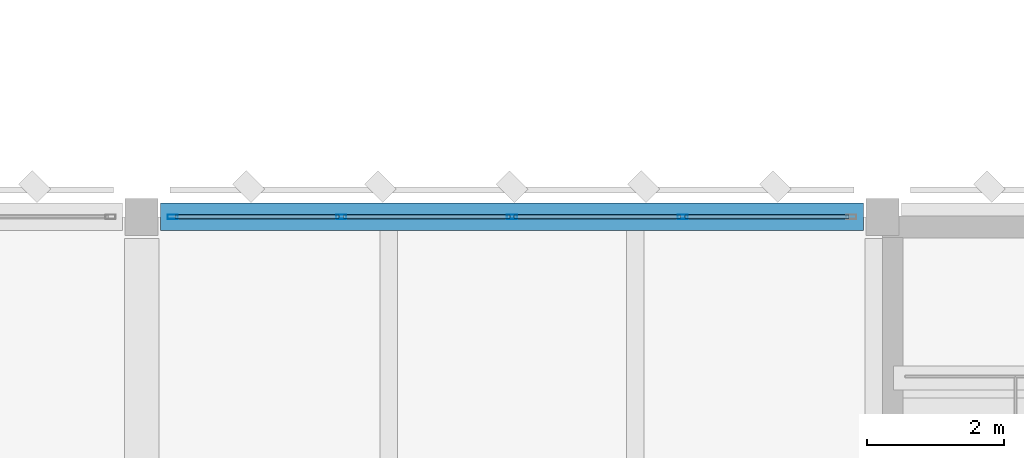
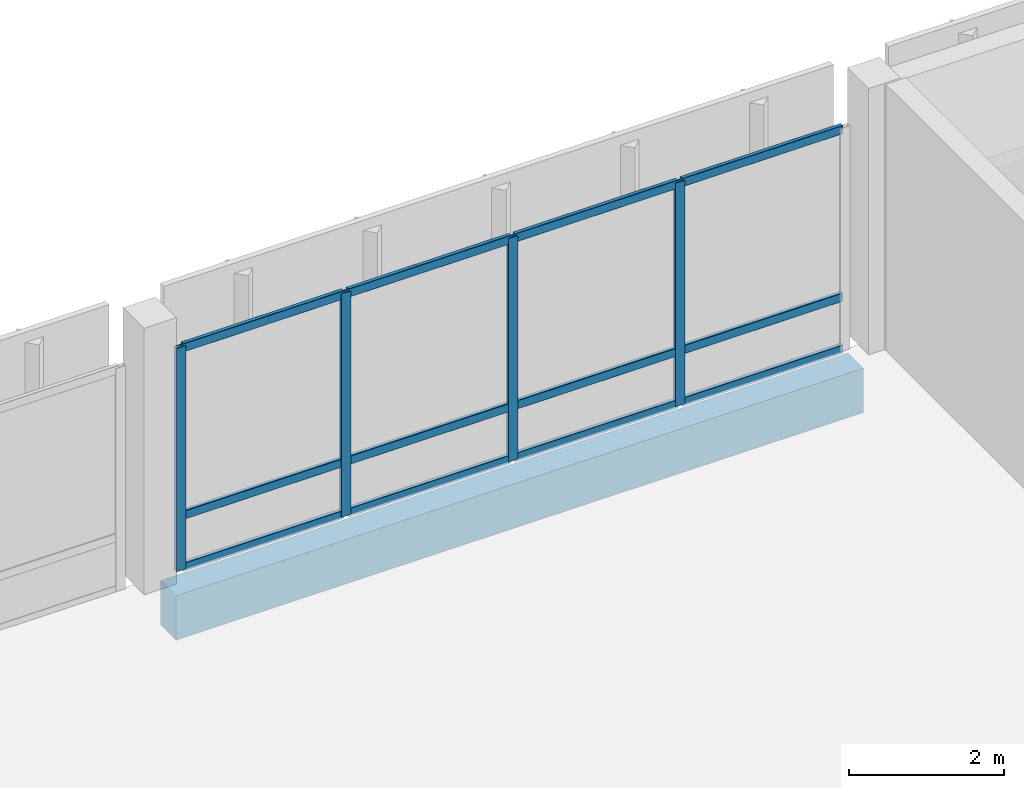
# One storey, part 29 of 72: 16 members, 1 beam, 1 element without a shape of its own.
"""IFC4 building model written with IfcOpenShell, lengths in metres."""

import ifcopenshell
import ifcopenshell.guid

model = None  # the IFC model being written
_history = None  # IfcOwnerHistory: only IFC2X3 demands one
_inside = {}  # id of a spatial element -> (the spatial element, [elements in it])
_under = {}  # id of a project, library or spatial element -> (it, [spatial elements below it])
_declared = {}  # id of a project -> (the project, [libraries it declares])
_typed = {}  # id of a type object -> (the type object, [elements of that type])
_made_of = {}  # id of a material, layer set ... -> (it, [elements and type objects made of it])


def new_model(schema):
    """Start an empty IFC model of exactly this schema.

    Asked for "IFC4X3", IfcOpenShell would pick the latest addendum, in which some entities
    have other attributes; the version numbers below select the first issue.
    IFC2X3 requires an IfcOwnerHistory on every rooted entity: one is made here for all.
    """
    global model, _history
    if schema == "IFC4X3":
        model = ifcopenshell.file(schema_version=(4, 3, 0, 0))
    else:
        model = ifcopenshell.file(schema=schema)
    _inside.clear()
    _under.clear()
    _declared.clear()
    _typed.clear()
    _made_of.clear()
    _history = None
    if model.schema == "IFC2X3":
        org = make("IfcOrganization", Name="unknown")
        user = make(
            "IfcPersonAndOrganization",
            ThePerson=make("IfcPerson", FamilyName="unknown"),
            TheOrganization=org,
        )
        app = make(
            "IfcApplication",
            ApplicationDeveloper=org,
            Version="unknown",
            ApplicationFullName="unknown",
            ApplicationIdentifier="unknown",
        )
        _history = make(
            "IfcOwnerHistory",
            OwningUser=user,
            OwningApplication=app,
            ChangeAction="ADDED",
            CreationDate=0,
        )
    return model


def make(cls, **values):
    """One entity of the class cls with the attributes given. An attribute that is None is left unset."""
    return model.create_entity(
        cls, **{name: value for name, value in values.items() if value is not None}
    )


def rooted(cls, **values):
    """An entity with a GlobalId (a new one), such as an element, a storey or a relation."""
    return make(cls, GlobalId=ifcopenshell.guid.new(), OwnerHistory=_history, **values)


def si_unit(unit_type, name, prefix=None):
    """IfcSIUnit, for example si_unit("LENGTHUNIT", "METRE", prefix="MILLI")."""
    return make("IfcSIUnit", UnitType=unit_type, Prefix=prefix, Name=name)


def assignment(units):
    """IfcUnitAssignment: the units of a project."""
    return None if units is None else make("IfcUnitAssignment", Units=units)


def point(xyz):
    """IfcCartesianPoint."""
    return None if xyz is None else make("IfcCartesianPoint", Coordinates=xyz)


def direction(xyz):
    """IfcDirection."""
    return None if xyz is None else make("IfcDirection", DirectionRatios=xyz)


def frame(location, z_axis=None, x_axis=None):
    """IfcAxis2Placement3D, a coordinate frame: its origin and axes. An axis left out is left unset."""
    return make(
        "IfcAxis2Placement3D",
        Location=point(location),
        Axis=direction(z_axis),
        RefDirection=direction(x_axis),
    )


def frame_2d(location, x_axis=None):
    """IfcAxis2Placement2D, a coordinate frame in the plane: its origin and x axis."""
    return make(
        "IfcAxis2Placement2D", Location=point(location), RefDirection=direction(x_axis)
    )


def origin():
    """The frame at (0, 0, 0) with its axes left unset."""
    return frame((0.0, 0.0, 0.0))


def origin_2d():
    """The frame at (0, 0) in the plane with its x axis left unset."""
    return frame_2d((0.0, 0.0))


def place(relative_to, where):
    """IfcLocalPlacement: puts the frame where relative to a parent placement (None: the world)."""
    return make(
        "IfcLocalPlacement", PlacementRelTo=relative_to, RelativePlacement=where
    )


def context(
    kind, dimensions, precision=None, world=None, true_north=None, identifier=None
):
    """IfcGeometricRepresentationContext, for example the 3D "Model" context."""
    return make(
        "IfcGeometricRepresentationContext",
        ContextIdentifier=identifier,
        ContextType=kind,
        CoordinateSpaceDimension=dimensions,
        Precision=precision,
        WorldCoordinateSystem=world,
        TrueNorth=true_north,
    )


def subcontext(parent, identifier, kind, view, scale=None):
    """IfcGeometricRepresentationSubContext, for example "Body" below "Model"."""
    return make(
        "IfcGeometricRepresentationSubContext",
        ContextIdentifier=identifier,
        ContextType=kind,
        ParentContext=parent,
        TargetScale=scale,
        TargetView=view,
    )


def project(units=None, contexts=None):
    """IfcProject with its units and contexts."""
    return rooted(
        "IfcProject",
        Name="project",
        RepresentationContexts=contexts,
        UnitsInContext=assignment(units),
    )


def spatial(cls, under=None, at=None, **own):
    """A site, building, storey or space (cls), placed at a placement, below another one or the project."""
    s = rooted(cls, ObjectPlacement=at, **own)
    if under is not None:
        _under.setdefault(under.id(), (under, []))[1].append(s)
    return s


def profile(cls, at=None, kind="AREA", **sizes):
    """A parametric profile (cls). Its sizes go by their IFC names, for example OverallWidth=200.0."""
    return make(cls, ProfileType=kind, Position=at, **sizes)


def rectangle(**sizes):
    """IfcRectangleProfileDef."""
    return profile("IfcRectangleProfileDef", **sizes)


def hollow_rectangle(**sizes):
    """IfcRectangleHollowProfileDef."""
    return profile("IfcRectangleHollowProfileDef", **sizes)


def extrude(swept, where, along, depth):
    """IfcExtrudedAreaSolid: the profile swept, set in the frame where, extruded along a direction by depth."""
    return make(
        "IfcExtrudedAreaSolid",
        SweptArea=swept,
        Position=where,
        ExtrudedDirection=direction(along),
        Depth=depth,
    )


def shape(context_of_items, identifier, shape_type, items):
    """IfcShapeRepresentation: the items that make up one representation, for example the "Body"."""
    return make(
        "IfcShapeRepresentation",
        ContextOfItems=context_of_items,
        RepresentationIdentifier=identifier,
        RepresentationType=shape_type,
        Items=items,
    )


def material(Name=None, Category=None):
    """IfcMaterial."""
    return make("IfcMaterial", Name=Name, Category=Category)


def material_profile(
    of_material, cross_section, Name=None, Category=None, Priority=None
):
    """IfcMaterialProfile: a cross section and its material."""
    return make(
        "IfcMaterialProfile",
        Name=Name,
        Material=of_material,
        Profile=cross_section,
        Priority=Priority,
        Category=Category,
    )


def profile_set(profiles, Name=None, composite=None):
    """IfcMaterialProfileSet."""
    return make(
        "IfcMaterialProfileSet",
        Name=Name,
        MaterialProfiles=profiles,
        CompositeProfile=composite,
    )


def made_of(thing, what):
    """Note that an element or type object is made of a material, layer set ...; save() writes the relation."""
    if what is not None:
        _made_of.setdefault(what.id(), (what, []))[1].append(thing)
    return thing


def type_object(cls, material=None, **own):
    """A type object (cls), such as IfcWallType, which elements share."""
    return made_of(rooted(cls, **own), material)


def element(
    cls,
    number,
    at=None,
    inside=None,
    cuts=None,
    type_object=None,
    material=None,
    context=None,
    identifier="Body",
    shape_type=None,
    held_by="IfcProductDefinitionShape",
    body=None,
    shapes=None,
    **own,
):
    """One element of the class cls, such as IfcWall. Its Tag is "e" and its number.

    at: its placement. inside: the storey or other place that contains it. cuts: it is an
    opening in that element (IfcRelVoidsElement). A single representation is given by context,
    identifier, shape_type and body (its items); several are given by shapes. held_by: the class
    of the entity that holds the representations. save() writes the other relations.
    """
    e = rooted(cls, Tag="e%d" % number, ObjectPlacement=at, **own)
    if body is not None:
        shapes = [shape(context, identifier, shape_type, body)]
    if shapes is not None:
        e.Representation = make(held_by, Representations=shapes)
    if inside is not None:
        _inside.setdefault(inside.id(), (inside, []))[1].append(e)
    if cuts is not None:
        rooted(
            "IfcRelVoidsElement", RelatingBuildingElement=cuts, RelatedOpeningElement=e
        )
    if type_object is not None:
        _typed.setdefault(type_object.id(), (type_object, []))[1].append(e)
    return made_of(e, material)


def aggregate(whole, parts):
    """IfcRelAggregates: a whole, such as a stair, and the parts it consists of."""
    return rooted("IfcRelAggregates", RelatingObject=whole, RelatedObjects=parts)


def save(model, path):
    """Write the relations noted so far, then the file.

    IfcRelAggregates (storeys below a building ...), IfcRelContainedInSpatialStructure (elements
    in a storey), IfcRelDefinesByType, IfcRelAssociatesMaterial and IfcRelDeclares: one each for
    every whole, place, type object, material and project.
    """
    for whole, parts in _under.values():
        aggregate(whole, parts)
    for where, things in _inside.values():
        rooted(
            "IfcRelContainedInSpatialStructure",
            RelatedElements=things,
            RelatingStructure=where,
        )
    for kind, things in _typed.values():
        rooted("IfcRelDefinesByType", RelatedObjects=things, RelatingType=kind)
    for what, things in _made_of.values():
        rooted("IfcRelAssociatesMaterial", RelatedObjects=things, RelatingMaterial=what)
    for by, libraries in _declared.values():
        rooted("IfcRelDeclares", RelatingContext=by, RelatedDefinitions=libraries)
    model.write(path)


model = new_model("IFC4")

# Units and contexts
model_context = context("Model", 3, precision=1e-05, world=origin(), true_north=direction((0.0, 1.0)))
body_context = subcontext(model_context, "Body", "Model", "MODEL_VIEW")
ifc_project = project(units=[si_unit("LENGTHUNIT", "METRE"), si_unit("AREAUNIT", "SQUARE_METRE"), si_unit("VOLUMEUNIT", "CUBIC_METRE"), si_unit("PLANEANGLEUNIT", "RADIAN"), si_unit("MASSUNIT", "GRAM", prefix="KILO")], contexts=[model_context])

# Site, building, storey
site_placement = place(None, origin())
site = spatial("IfcSite", under=ifc_project, at=site_placement, CompositionType="ELEMENT")
building_placement = place(site_placement, origin())
building = spatial("IfcBuilding", under=site, at=building_placement, Name="Lusvemor Sports Hall", CompositionType="ELEMENT")
storey_placement = place(building_placement, frame((0.0, 0.0, 15.0)))
storey = spatial("IfcBuildingStorey", under=building, at=storey_placement, Name="L03", CompositionType="ELEMENT", Elevation=15.0)

# Curtain wall, members
ifc_material_1 = material(Name="Thermally broken bronze-anodized aluminium", Category="aluminium")
curtain_wall_type = type_object("IfcCurtainWallType", Name="CW_WING_B", PredefinedType="NOTDEFINED", material=ifc_material_1)
curtain_wall_placement = place(storey_placement, origin())
curtain_wall = element("IfcCurtainWall", 1, at=curtain_wall_placement, inside=storey, type_object=curtain_wall_type, Name="Curtain Wall CW-L03-N-1-4", PredefinedType="NOTDEFINED")
ifc_material_2 = material(Name="Thermally broken bronze-anodized aluminium", Category="aluminium")
ifc_material_profile_1 = material_profile(ifc_material_2, hollow_rectangle(XDim=0.06494140625, YDim=0.14990234375, WallThickness=0.00390625, InnerFilletRadius=0.00390625, OuterFilletRadius=0.008056640625, at=origin_2d()), Name="CWMUL150x65x4")
ifc_profile_set_1 = profile_set([ifc_material_profile_1], Name="Thermally broken bronze-anodized aluminium")
member_type_1 = type_object("IfcMemberType", Name="CW_MUL_B", PredefinedType="MULLION", material=ifc_profile_set_1)
member_1_placement = place(storey_placement, frame((43.652587890625, 115.199951171875, 0.0), z_axis=(0.0, 0.0, 1.0), x_axis=(0.0, 1.0, 0.0)))
member_1 = element("IfcMember", 2, at=member_1_placement, type_object=member_type_1, Name="CW02 mullion 1", PredefinedType="MULLION", context=body_context, shape_type="SweptSolid", body=[
    extrude(hollow_rectangle(XDim=0.06494140625, YDim=0.14990234375, WallThickness=0.00390625, InnerFilletRadius=0.00390625, OuterFilletRadius=0.008056640625, at=origin_2d()), origin(), (0.0, 0.0, 1.0), 3.52001953125),
])
member_2_placement = place(storey_placement, frame((46.110107421875, 115.199951171875, 0.0), z_axis=(0.0, 0.0, 1.0), x_axis=(0.0, 1.0, 0.0)))
member_2 = element("IfcMember", 3, at=member_2_placement, type_object=member_type_1, Name="CW02 mullion 2", PredefinedType="MULLION", context=body_context, shape_type="SweptSolid", body=[
    extrude(hollow_rectangle(XDim=0.06494140625, YDim=0.14990234375, WallThickness=0.00390625, InnerFilletRadius=0.00390625, OuterFilletRadius=0.008056640625, at=origin_2d()), origin(), (0.0, 0.0, 1.0), 3.52001953125),
])
member_3_placement = place(storey_placement, frame((48.60009765625, 115.199951171875, 0.0), z_axis=(0.0, 0.0, 1.0), x_axis=(0.0, 1.0, 0.0)))
member_3 = element("IfcMember", 4, at=member_3_placement, type_object=member_type_1, Name="CW02 mullion 3", PredefinedType="MULLION", context=body_context, shape_type="SweptSolid", body=[
    extrude(hollow_rectangle(XDim=0.06494140625, YDim=0.14990234375, WallThickness=0.00390625, InnerFilletRadius=0.00390625, OuterFilletRadius=0.008056640625, at=origin_2d()), origin(), (0.0, 0.0, 1.0), 3.52001953125),
])
member_4_placement = place(storey_placement, frame((51.090087890625, 115.199951171875, 0.0), z_axis=(0.0, 0.0, 1.0), x_axis=(0.0, 1.0, 0.0)))
member_4 = element("IfcMember", 5, at=member_4_placement, type_object=member_type_1, Name="CW02 mullion 4", PredefinedType="MULLION", context=body_context, shape_type="SweptSolid", body=[
    extrude(hollow_rectangle(XDim=0.06494140625, YDim=0.14990234375, WallThickness=0.00390625, InnerFilletRadius=0.00390625, OuterFilletRadius=0.008056640625, at=origin_2d()), origin(), (0.0, 0.0, 1.0), 3.52001953125),
])
ifc_material_3 = material(Name="Thermally broken bronze-anodized aluminium", Category="aluminium")
ifc_material_profile_2 = material_profile(ifc_material_3, hollow_rectangle(XDim=0.06005859375, YDim=0.135009765625, WallThickness=0.00390625, InnerFilletRadius=0.00390625, OuterFilletRadius=0.008056640625, at=origin_2d()), Name="CWTRN135x60x4")
ifc_profile_set_2 = profile_set([ifc_material_profile_2], Name="Thermally broken bronze-anodized aluminium")
member_type_2 = type_object("IfcMemberType", Name="CW_TRN_B", PredefinedType="USERDEFINED", material=ifc_profile_set_2)
member_5_placement = place(storey_placement, frame((43.68505859375, 115.199951171875, 0.030029296875), z_axis=(1.0, 0.0, 0.0), x_axis=(0.0, 1.0, 0.0)))
member_5 = element("IfcMember", 6, at=member_5_placement, type_object=member_type_2, Name="CW02 transom 1.1", ObjectType="TRANSOM", PredefinedType="USERDEFINED", context=body_context, shape_type="SweptSolid", body=[
    extrude(hollow_rectangle(XDim=0.06005859375, YDim=0.135009765625, WallThickness=0.00390625, InnerFilletRadius=0.00390625, OuterFilletRadius=0.008056640625, at=origin_2d()), origin(), (0.0, 0.0, 1.0), 2.392333984375),
])
member_6_placement = place(storey_placement, frame((43.68505859375, 115.199951171875, 0.85009765625), z_axis=(1.0, 0.0, 0.0), x_axis=(0.0, 1.0, 0.0)))
member_6 = element("IfcMember", 7, at=member_6_placement, type_object=member_type_2, Name="CW02 transom 1.2", ObjectType="TRANSOM", PredefinedType="USERDEFINED", context=body_context, shape_type="SweptSolid", body=[
    extrude(hollow_rectangle(XDim=0.06005859375, YDim=0.135009765625, WallThickness=0.00390625, InnerFilletRadius=0.00390625, OuterFilletRadius=0.008056640625, at=origin_2d()), origin(), (0.0, 0.0, 1.0), 2.392333984375),
])
member_7_placement = place(storey_placement, frame((43.68505859375, 115.199951171875, 3.489990234375), z_axis=(1.0, 0.0, 0.0), x_axis=(0.0, 1.0, 0.0)))
member_7 = element("IfcMember", 8, at=member_7_placement, type_object=member_type_2, Name="CW02 transom 1.3", ObjectType="TRANSOM", PredefinedType="USERDEFINED", context=body_context, shape_type="SweptSolid", body=[
    extrude(hollow_rectangle(XDim=0.06005859375, YDim=0.135009765625, WallThickness=0.00390625, InnerFilletRadius=0.00390625, OuterFilletRadius=0.008056640625, at=origin_2d()), origin(), (0.0, 0.0, 1.0), 2.392333984375),
])
member_8_placement = place(storey_placement, frame((46.142578125, 115.199951171875, 0.030029296875), z_axis=(1.0, 0.0, 0.0), x_axis=(0.0, 1.0, 0.0)))
member_8 = element("IfcMember", 9, at=member_8_placement, type_object=member_type_2, Name="CW02 transom 2.1", ObjectType="TRANSOM", PredefinedType="USERDEFINED", context=body_context, shape_type="SweptSolid", body=[
    extrude(hollow_rectangle(XDim=0.06005859375, YDim=0.135009765625, WallThickness=0.00390625, InnerFilletRadius=0.00390625, OuterFilletRadius=0.008056640625, at=origin_2d()), origin(), (0.0, 0.0, 1.0), 2.4248046875),
])
member_9_placement = place(storey_placement, frame((46.142578125, 115.199951171875, 0.85009765625), z_axis=(1.0, 0.0, 0.0), x_axis=(0.0, 1.0, 0.0)))
member_9 = element("IfcMember", 10, at=member_9_placement, type_object=member_type_2, Name="CW02 transom 2.2", ObjectType="TRANSOM", PredefinedType="USERDEFINED", context=body_context, shape_type="SweptSolid", body=[
    extrude(hollow_rectangle(XDim=0.06005859375, YDim=0.135009765625, WallThickness=0.00390625, InnerFilletRadius=0.00390625, OuterFilletRadius=0.008056640625, at=origin_2d()), origin(), (0.0, 0.0, 1.0), 2.4248046875),
])
member_10_placement = place(storey_placement, frame((46.142578125, 115.199951171875, 3.489990234375), z_axis=(1.0, 0.0, 0.0), x_axis=(0.0, 1.0, 0.0)))
member_10 = element("IfcMember", 11, at=member_10_placement, type_object=member_type_2, Name="CW02 transom 2.3", ObjectType="TRANSOM", PredefinedType="USERDEFINED", context=body_context, shape_type="SweptSolid", body=[
    extrude(hollow_rectangle(XDim=0.06005859375, YDim=0.135009765625, WallThickness=0.00390625, InnerFilletRadius=0.00390625, OuterFilletRadius=0.008056640625, at=origin_2d()), origin(), (0.0, 0.0, 1.0), 2.4248046875),
])
member_11_placement = place(storey_placement, frame((48.632568359375, 115.199951171875, 0.030029296875), z_axis=(1.0, 0.0, 0.0), x_axis=(0.0, 1.0, 0.0)))
member_11 = element("IfcMember", 12, at=member_11_placement, type_object=member_type_2, Name="CW02 transom 3.1", ObjectType="TRANSOM", PredefinedType="USERDEFINED", context=body_context, shape_type="SweptSolid", body=[
    extrude(hollow_rectangle(XDim=0.06005859375, YDim=0.135009765625, WallThickness=0.00390625, InnerFilletRadius=0.00390625, OuterFilletRadius=0.008056640625, at=origin_2d()), origin(), (0.0, 0.0, 1.0), 2.425048828125),
])
member_12_placement = place(storey_placement, frame((48.632568359375, 115.199951171875, 0.85009765625), z_axis=(1.0, 0.0, 0.0), x_axis=(0.0, 1.0, 0.0)))
member_12 = element("IfcMember", 13, at=member_12_placement, type_object=member_type_2, Name="CW02 transom 3.2", ObjectType="TRANSOM", PredefinedType="USERDEFINED", context=body_context, shape_type="SweptSolid", body=[
    extrude(hollow_rectangle(XDim=0.06005859375, YDim=0.135009765625, WallThickness=0.00390625, InnerFilletRadius=0.00390625, OuterFilletRadius=0.008056640625, at=origin_2d()), origin(), (0.0, 0.0, 1.0), 2.425048828125),
])
member_13_placement = place(storey_placement, frame((48.632568359375, 115.199951171875, 3.489990234375), z_axis=(1.0, 0.0, 0.0), x_axis=(0.0, 1.0, 0.0)))
member_13 = element("IfcMember", 14, at=member_13_placement, type_object=member_type_2, Name="CW02 transom 3.3", ObjectType="TRANSOM", PredefinedType="USERDEFINED", context=body_context, shape_type="SweptSolid", body=[
    extrude(hollow_rectangle(XDim=0.06005859375, YDim=0.135009765625, WallThickness=0.00390625, InnerFilletRadius=0.00390625, OuterFilletRadius=0.008056640625, at=origin_2d()), origin(), (0.0, 0.0, 1.0), 2.425048828125),
])
member_14_placement = place(storey_placement, frame((51.12255859375, 115.199951171875, 0.030029296875), z_axis=(1.0, 0.0, 0.0), x_axis=(0.0, 1.0, 0.0)))
member_14 = element("IfcMember", 15, at=member_14_placement, type_object=member_type_2, Name="CW02 transom 4.1", ObjectType="TRANSOM", PredefinedType="USERDEFINED", context=body_context, shape_type="SweptSolid", body=[
    extrude(hollow_rectangle(XDim=0.06005859375, YDim=0.135009765625, WallThickness=0.00390625, InnerFilletRadius=0.00390625, OuterFilletRadius=0.008056640625, at=origin_2d()), origin(), (0.0, 0.0, 1.0), 2.392333984375),
])
member_15_placement = place(storey_placement, frame((51.12255859375, 115.199951171875, 0.85009765625), z_axis=(1.0, 0.0, 0.0), x_axis=(0.0, 1.0, 0.0)))
member_15 = element("IfcMember", 16, at=member_15_placement, type_object=member_type_2, Name="CW02 transom 4.2", ObjectType="TRANSOM", PredefinedType="USERDEFINED", context=body_context, shape_type="SweptSolid", body=[
    extrude(hollow_rectangle(XDim=0.06005859375, YDim=0.135009765625, WallThickness=0.00390625, InnerFilletRadius=0.00390625, OuterFilletRadius=0.008056640625, at=origin_2d()), origin(), (0.0, 0.0, 1.0), 2.392333984375),
])
member_16_placement = place(storey_placement, frame((51.12255859375, 115.199951171875, 3.489990234375), z_axis=(1.0, 0.0, 0.0), x_axis=(0.0, 1.0, 0.0)))
member_16 = element("IfcMember", 17, at=member_16_placement, type_object=member_type_2, Name="CW02 transom 4.3", ObjectType="TRANSOM", PredefinedType="USERDEFINED", context=body_context, shape_type="SweptSolid", body=[
    extrude(hollow_rectangle(XDim=0.06005859375, YDim=0.135009765625, WallThickness=0.00390625, InnerFilletRadius=0.00390625, OuterFilletRadius=0.008056640625, at=origin_2d()), origin(), (0.0, 0.0, 1.0), 2.392333984375),
])
aggregate(curtain_wall, [member_1, member_2, member_3, member_4, member_5, member_6, member_7, member_8, member_9, member_10, member_11, member_12, member_13, member_14, member_15, member_16])

# Beam
ifc_material_4 = material(Name="Concrete C40/50", Category="concrete")
ifc_material_profile_3 = material_profile(ifc_material_4, rectangle(XDim=0.39990234375, YDim=0.699951171875, at=origin_2d()), Name="RC400x700")
ifc_profile_set_3 = profile_set([ifc_material_profile_3], Name="Concrete C40/50")
beam_type = type_object("IfcBeamType", Name="SPAND_EXT_700", PredefinedType="SPANDREL", material=ifc_profile_set_3)
beam_placement = place(storey_placement, frame((43.47607421875, 115.199951171875, -0.590087890625), z_axis=(1.0, 0.0, 0.0), x_axis=(0.0, 1.0, 0.0)))
element("IfcBeam", 18, at=beam_placement, inside=storey, type_object=beam_type, Name="Beam L03 Q:5-6", PredefinedType="SPANDREL", context=body_context, shape_type="SweptSolid", body=[
    extrude(rectangle(XDim=0.39990234375, YDim=0.699951171875, at=origin_2d()), origin(), (0.0, 0.0, 1.0), 10.248046875),
])

save(model, "model.ifc")
